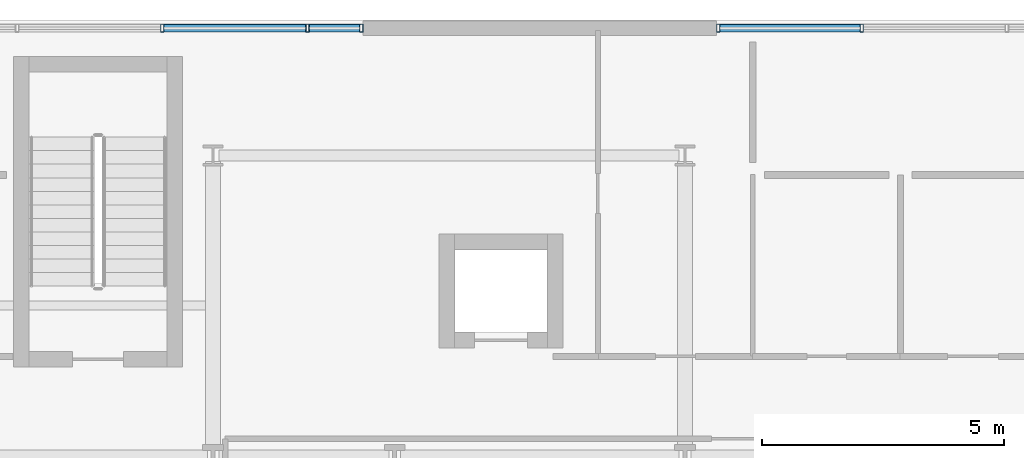
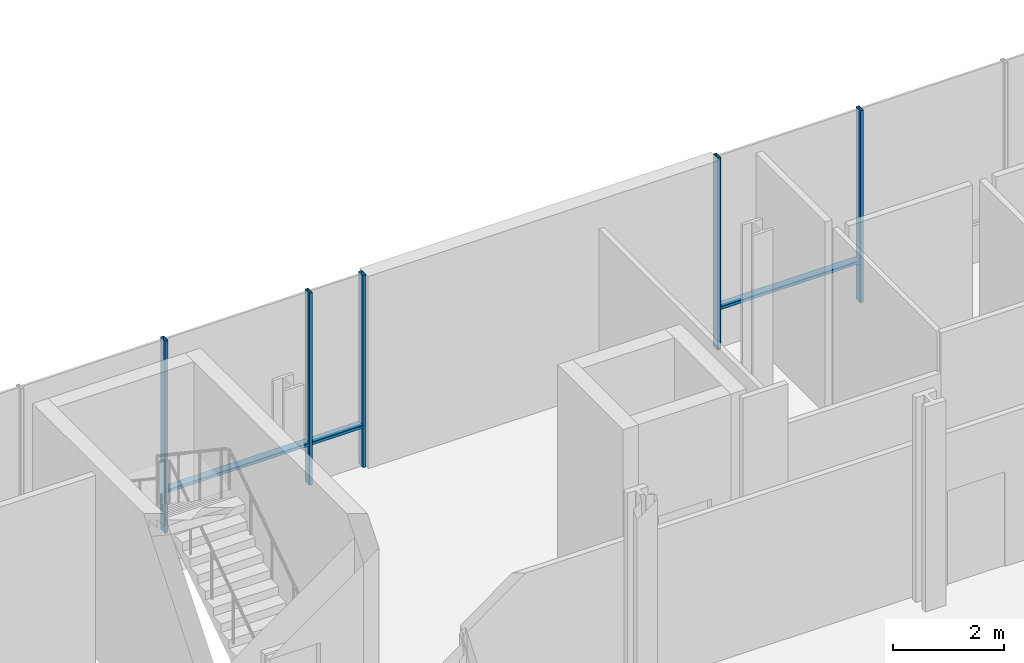
# One storey, part 10 of 25: 8 members, 2 elements without a shape of their own.
"""IFC4 building model written with IfcOpenShell, lengths in metres."""

from ifc_helpers import new_model, si_unit, direction, frame, origin, origin_2d, place, context, subcontext, project, spatial, hollow_rectangle, extrude, material, layer, layer_set, material_profile, profile_set, type_object, element, aggregate, save


model = new_model("IFC4")

# Units and contexts
model_context = context("Model", 3, precision=1e-05, world=origin(), true_north=direction((0.0, 1.0)))
body_context = subcontext(model_context, "Body", "Model", "MODEL_VIEW")
ifc_project = project(units=[si_unit("LENGTHUNIT", "METRE"), si_unit("AREAUNIT", "SQUARE_METRE"), si_unit("VOLUMEUNIT", "CUBIC_METRE"), si_unit("PLANEANGLEUNIT", "RADIAN"), si_unit("MASSUNIT", "GRAM", prefix="KILO")], contexts=[model_context])

# Site, building, storey
site_placement = place(None, origin())
site = spatial("IfcSite", under=ifc_project, at=site_placement, CompositionType="ELEMENT")
building_placement = place(site_placement, origin())
building = spatial("IfcBuilding", under=site, at=building_placement, Name="Brevholm Reach", CompositionType="ELEMENT")
storey_placement = place(building_placement, frame((0.0, 0.0, 9.0)))
storey = spatial("IfcBuildingStorey", under=building, at=storey_placement, Name="L02", CompositionType="ELEMENT", Elevation=9.0)

# Curtain wall, members
ifc_material_1 = material(Name="Dark Anodised Aluminium 6063-T6 and Solar-Control Glass", Category="aluminium")
ifc_layer = layer(ifc_material_1, 0.1650390625)
ifc_layer_set = layer_set([ifc_layer], Name="Dark Anodised Aluminium 6063-T6 and Solar-Control Glass")
curtain_wall_type = type_object("IfcCurtainWallType", Name="CW-03", PredefinedType="NOTDEFINED", material=ifc_layer_set)
curtain_wall_1_placement = place(storey_placement, origin())
curtain_wall_1 = element("IfcCurtainWall", 1, at=curtain_wall_1_placement, inside=storey, type_object=curtain_wall_type, Name="L02 Curtain Wall CW-03", PredefinedType="NOTDEFINED")
ifc_material_2 = material(Name="Dark Anodised Aluminium 6063-T6", Category="aluminium")
ifc_material_profile_1 = material_profile(ifc_material_2, hollow_rectangle(XDim=0.070068359375, YDim=0.1650390625, WallThickness=0.0048828125, InnerFilletRadius=0.0048828125, OuterFilletRadius=0.010009765625, at=origin_2d()), Name="RHS 165x70x5")
ifc_profile_set_1 = profile_set([ifc_material_profile_1], Name="Dark Anodised Aluminium 6063-T6")
member_type_1 = type_object("IfcMemberType", Name="CWM-165", PredefinedType="MULLION", material=ifc_profile_set_1)
member_1_placement = place(storey_placement, frame((37.199951171875, 39.830078125, 0.0), z_axis=(0.0, 0.0, 1.0), x_axis=(1.0, 0.0, 0.0)))
member_1 = element("IfcMember", 2, at=member_1_placement, type_object=member_type_1, Name="CM-165 Mullion 4", PredefinedType="MULLION", context=body_context, shape_type="SweptSolid", body=[
    extrude(hollow_rectangle(XDim=0.070068359375, YDim=0.1650390625, WallThickness=0.0048828125, InnerFilletRadius=0.0048828125, OuterFilletRadius=0.010009765625, at=origin_2d()), origin(), (0.0, 0.0, 1.0), 4.219970703125),
])
member_2_placement = place(storey_placement, frame((40.199951171875, 39.830078125, 0.0), z_axis=(0.0, 0.0, 1.0), x_axis=(1.0, 0.0, 0.0)))
member_2 = element("IfcMember", 3, at=member_2_placement, type_object=member_type_1, Name="CM-165 Mullion 5", PredefinedType="MULLION", context=body_context, shape_type="SweptSolid", body=[
    extrude(hollow_rectangle(XDim=0.070068359375, YDim=0.1650390625, WallThickness=0.0048828125, InnerFilletRadius=0.0048828125, OuterFilletRadius=0.010009765625, at=origin_2d()), origin(), (0.0, 0.0, 1.0), 4.219970703125),
])
member_3_placement = place(storey_placement, frame((41.31494140625, 39.830078125, 0.0), z_axis=(0.0, 0.0, 1.0), x_axis=(1.0, 0.0, 0.0)))
member_3 = element("IfcMember", 4, at=member_3_placement, type_object=member_type_1, Name="CM-165 Mullion 6", PredefinedType="MULLION", context=body_context, shape_type="SweptSolid", body=[
    extrude(hollow_rectangle(XDim=0.070068359375, YDim=0.1650390625, WallThickness=0.0048828125, InnerFilletRadius=0.0048828125, OuterFilletRadius=0.010009765625, at=origin_2d()), origin(), (0.0, 0.0, 1.0), 4.219970703125),
])

curtain_wall_2_placement = place(storey_placement, origin())
curtain_wall_2 = element("IfcCurtainWall", 5, at=curtain_wall_2_placement, inside=storey, type_object=curtain_wall_type, Name="L02 Curtain Wall CW-03", PredefinedType="NOTDEFINED")
member_4_placement = place(storey_placement, frame((48.68505859375, 39.830078125, 0.0), z_axis=(0.0, 0.0, 1.0), x_axis=(1.0, 0.0, 0.0)))
member_4 = element("IfcMember", 6, at=member_4_placement, type_object=member_type_1, Name="CM-165 Mullion 1", PredefinedType="MULLION", context=body_context, shape_type="SweptSolid", body=[
    extrude(hollow_rectangle(XDim=0.070068359375, YDim=0.1650390625, WallThickness=0.0048828125, InnerFilletRadius=0.0048828125, OuterFilletRadius=0.010009765625, at=origin_2d()), origin(), (0.0, 0.0, 1.0), 4.219970703125),
])
member_5_placement = place(storey_placement, frame((51.64990234375, 39.830078125, 0.0), z_axis=(0.0, 0.0, 1.0), x_axis=(1.0, 0.0, 0.0)))
member_5 = element("IfcMember", 7, at=member_5_placement, type_object=member_type_1, Name="CM-165 Mullion 2", PredefinedType="MULLION", context=body_context, shape_type="SweptSolid", body=[
    extrude(hollow_rectangle(XDim=0.070068359375, YDim=0.1650390625, WallThickness=0.0048828125, InnerFilletRadius=0.0048828125, OuterFilletRadius=0.010009765625, at=origin_2d()), origin(), (0.0, 0.0, 1.0), 4.219970703125),
])

# Member
ifc_material_3 = material(Name="Dark Anodised Aluminium 6063-T6", Category="aluminium")
ifc_material_profile_2 = material_profile(ifc_material_3, hollow_rectangle(XDim=0.070068359375, YDim=0.1650390625, WallThickness=0.0048828125, InnerFilletRadius=0.0048828125, OuterFilletRadius=0.010009765625, at=origin_2d()), Name="RHS 165x70x5")
ifc_profile_set_2 = profile_set([ifc_material_profile_2], Name="Dark Anodised Aluminium 6063-T6")
member_type_2 = type_object("IfcMemberType", Name="CWT-165", PredefinedType="NOTDEFINED", material=ifc_profile_set_2)
member_6_placement = place(storey_placement, frame((37.235107421875, 39.830078125, 0.89990234375), z_axis=(1.0, 0.0, 0.0), x_axis=(0.0, 0.0, 1.0)))
member_6 = element("IfcMember", 8, at=member_6_placement, type_object=member_type_2, Name="CT-165 Transom 4.1", ObjectType="TRANSOM", PredefinedType="USERDEFINED", context=body_context, shape_type="SweptSolid", body=[
    extrude(hollow_rectangle(XDim=0.070068359375, YDim=0.1650390625, WallThickness=0.0048828125, InnerFilletRadius=0.0048828125, OuterFilletRadius=0.010009765625, at=origin_2d()), origin(), (0.0, 0.0, 1.0), 2.929931640625),
])

member_7_placement = place(storey_placement, frame((40.235107421875, 39.830078125, 0.89990234375), z_axis=(1.0, 0.0, 0.0), x_axis=(0.0, 0.0, 1.0)))
member_7 = element("IfcMember", 9, at=member_7_placement, type_object=member_type_2, Name="CT-165 Transom 5.1", ObjectType="TRANSOM", PredefinedType="USERDEFINED", context=body_context, shape_type="SweptSolid", body=[
    extrude(hollow_rectangle(XDim=0.070068359375, YDim=0.1650390625, WallThickness=0.0048828125, InnerFilletRadius=0.0048828125, OuterFilletRadius=0.010009765625, at=origin_2d()), origin(), (0.0, 0.0, 1.0), 1.044921875),
])

aggregate(curtain_wall_1, [member_1, member_2, member_3, member_6, member_7])

member_8_placement = place(storey_placement, frame((48.719970703125, 39.830078125, 0.89990234375), z_axis=(1.0, 0.0, 0.0), x_axis=(0.0, 0.0, 1.0)))
member_8 = element("IfcMember", 10, at=member_8_placement, type_object=member_type_2, Name="CT-165 Transom 1.1", ObjectType="TRANSOM", PredefinedType="USERDEFINED", context=body_context, shape_type="SweptSolid", body=[
    extrude(hollow_rectangle(XDim=0.070068359375, YDim=0.1650390625, WallThickness=0.0048828125, InnerFilletRadius=0.0048828125, OuterFilletRadius=0.010009765625, at=origin_2d()), origin(), (0.0, 0.0, 1.0), 2.89501953125),
])

aggregate(curtain_wall_2, [member_4, member_5, member_8])

save(model, "model.ifc")
